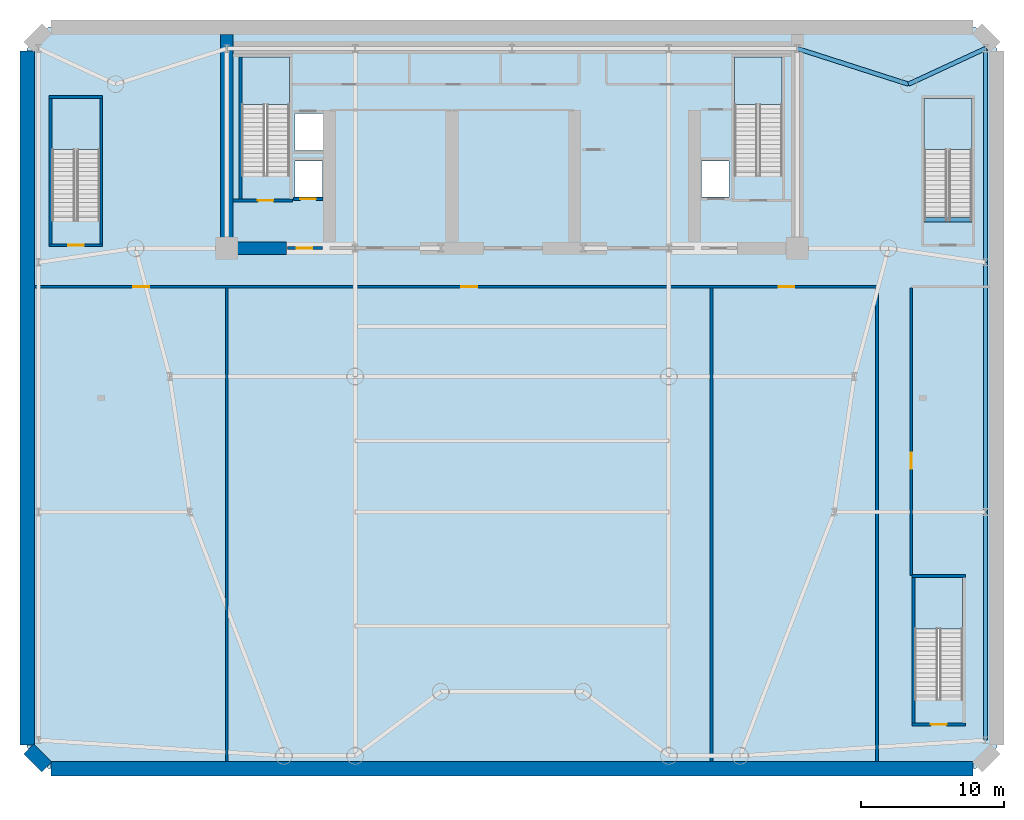
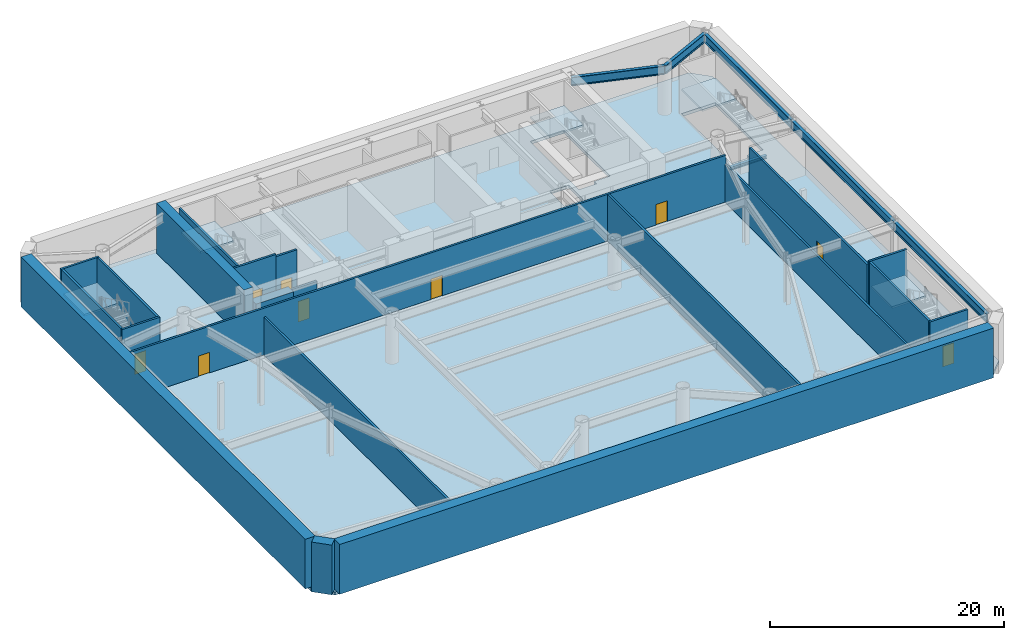
# One storey, part 2 of 9: 21 walls, 9 doors, 6 beams, 6 slabs, 9 openings, 5 elements without a shape of their own.
"""IFC4 building model written with IfcOpenShell, lengths in metres."""

from ifc_helpers import new_model, si_unit, direction, frame, frame_2d, origin, origin_2d, place, context, subcontext, project, spatial, polyline, rectangle, i_section, outline, extrude, source, transform, mapped, material, layer, layer_set, material_profile, profile_set, type_object, element, fill, aggregate, save


model = new_model("IFC4")

# Units and contexts
model_context = context("Model", 3, precision=1e-05, world=origin(), true_north=direction((0.0, 1.0)))
body_context = subcontext(model_context, "Body", "Model", "MODEL_VIEW")
ifc_project = project(units=[si_unit("LENGTHUNIT", "METRE"), si_unit("AREAUNIT", "SQUARE_METRE"), si_unit("VOLUMEUNIT", "CUBIC_METRE"), si_unit("PLANEANGLEUNIT", "RADIAN"), si_unit("MASSUNIT", "GRAM", prefix="KILO")], contexts=[model_context])

# Site, building, storey
site_placement = place(None, origin())
site = spatial("IfcSite", under=ifc_project, at=site_placement, CompositionType="ELEMENT")
building_placement = place(site_placement, origin())
building = spatial("IfcBuilding", under=site, at=building_placement, Name="Vaeldorn Concourse Tower", CompositionType="ELEMENT")
storey_placement = place(building_placement, frame((0.0, 0.0, -10.39990234375)))
storey = spatial("IfcBuildingStorey", under=building, at=storey_placement, Name="B02", CompositionType="ELEMENT", Elevation=-10.39990234375)

# Beams
ifc_material_1 = material(Name="Steel S355", Category="steel")
ifc_material_profile_1 = material_profile(ifc_material_1, i_section(OverallWidth=0.300048828125, OverallDepth=0.340087890625, WebThickness=0.011962890625, FlangeThickness=0.021484375, FilletRadius=0.027099609375, at=origin_2d()), Name="HEB 340")
ifc_profile_set_1 = profile_set([ifc_material_profile_1], Name="Steel S355")
beam_type_1 = type_object("IfcBeamType", Name="BM-ST-TRIM", PredefinedType="BEAM", material=ifc_profile_set_1)
shared_shape_1 = source(origin(), body_context, "Body", "SweptSolid", [
    extrude(i_section(OverallWidth=0.300048828125, OverallDepth=0.340087890625, WebThickness=0.011962890625, FlangeThickness=0.021484375, FilletRadius=0.027099609375, at=origin_2d()), origin(), (0.0, 0.0, 1.0), 3.590087890625),
])
beam_1_placement = place(storey_placement, frame((62.780029296875, 38.489990234375, -0.489990234375), z_axis=(1.0, 0.0, 0.0), x_axis=(0.0, 1.0, 0.0)))
element("IfcBeam", 1, at=beam_1_placement, inside=storey, type_object=beam_type_1, Name="Stair Landing Trimmer Beam ST-4 B02", PredefinedType="BEAM", context=body_context, shape_type="MappedRepresentation", body=[
    mapped(shared_shape_1, transform((0.0, 0.0, 0.0), scale=1.0)),
])
ifc_material_profile_2 = material_profile(ifc_material_1, i_section(OverallWidth=0.302001953125, OverallDepth=0.909912109375, WebThickness=0.02099609375, FlangeThickness=0.0400390625, FilletRadius=0.030029296875, at=origin_2d()), Name="HEM 900")
ifc_profile_set_2 = profile_set([ifc_material_profile_2], Name="Steel S355")
beam_type_2 = type_object("IfcBeamType", Name="BM-PG-HEM900", PredefinedType="BEAM", material=ifc_profile_set_2)
shared_shape_2 = source(origin(), body_context, "Body", "SweptSolid", [
    extrude(i_section(OverallWidth=0.302001953125, OverallDepth=0.909912109375, WebThickness=0.02099609375, FlangeThickness=0.0400390625, FilletRadius=0.030029296875, at=origin_2d()), origin(), (0.0, 0.0, 1.0), 16.0),
])
beam_2_placement = place(storey_placement, frame((67.199951171875, 2.0, 4.4248046875), z_axis=(0.0, 1.0, 0.0), x_axis=(-1.0, 0.0, 0.0)))
element("IfcBeam", 2, at=beam_2_placement, inside=storey, type_object=beam_type_2, Name="Beam BM-B02-C-PE1-C-PE2", PredefinedType="BEAM", context=body_context, shape_type="MappedRepresentation", body=[
    mapped(shared_shape_2, transform((0.0, 0.0, 0.0), scale=1.0)),
])
shared_shape_3 = source(origin(), body_context, "Body", "SweptSolid", [
    extrude(i_section(OverallWidth=0.302001953125, OverallDepth=0.909912109375, WebThickness=0.02099609375, FlangeThickness=0.0400390625, FilletRadius=0.030029296875, at=origin_2d()), origin(), (0.0, 0.0, 1.0), 17.5),
])
beam_3_placement = place(storey_placement, frame((67.199951171875, 18.0, 4.4248046875), z_axis=(0.0, 1.0, 0.0), x_axis=(-1.0, 0.0, 0.0)))
element("IfcBeam", 3, at=beam_3_placement, inside=storey, type_object=beam_type_2, Name="Beam BM-B02-C-PE2-C-PE3", PredefinedType="BEAM", context=body_context, shape_type="MappedRepresentation", body=[
    mapped(shared_shape_3, transform((0.0, 0.0, 0.0), scale=1.0)),
])
shared_shape_4 = source(origin(), body_context, "Body", "SweptSolid", [
    extrude(i_section(OverallWidth=0.302001953125, OverallDepth=0.909912109375, WebThickness=0.02099609375, FlangeThickness=0.0400390625, FilletRadius=0.030029296875, at=origin_2d()), origin(), (0.0, 0.0, 1.0), 15.0),
])
beam_4_placement = place(storey_placement, frame((67.199951171875, 35.5, 4.4248046875), z_axis=(0.0, 1.0, 0.0), x_axis=(-1.0, 0.0, 0.0)))
element("IfcBeam", 4, at=beam_4_placement, inside=storey, type_object=beam_type_2, Name="Beam BM-B02-C-PE3-C-PE4", PredefinedType="BEAM", context=body_context, shape_type="MappedRepresentation", body=[
    mapped(shared_shape_4, transform((0.0, 0.0, 0.0), scale=1.0)),
])
shared_shape_5 = source(origin(), body_context, "Body", "SweptSolid", [
    extrude(i_section(OverallWidth=0.302001953125, OverallDepth=0.909912109375, WebThickness=0.02099609375, FlangeThickness=0.0400390625, FilletRadius=0.030029296875, at=origin_2d()), origin(), (0.0, 0.0, 1.0), 5.950439453125),
])
beam_5_placement = place(storey_placement, frame((61.800048828125, 48.0, 4.4248046875), z_axis=(0.907464010437, 0.420129824888, 0.0), x_axis=(-0.420129824888, 0.907464010437, 0.0)))
element("IfcBeam", 5, at=beam_5_placement, inside=storey, type_object=beam_type_2, Name="Beam BM-B02-C-NE1-C-PE4", PredefinedType="BEAM", context=body_context, shape_type="MappedRepresentation", body=[
    mapped(shared_shape_5, transform((0.0, 0.0, 0.0), scale=1.0)),
])
shared_shape_6 = source(origin(), body_context, "Body", "SweptSolid", [
    extrude(i_section(OverallWidth=0.302001953125, OverallDepth=0.909912109375, WebThickness=0.02099609375, FlangeThickness=0.0400390625, FilletRadius=0.030029296875, at=origin_2d()), origin(), (0.0, 0.0, 1.0), 8.19091796875),
])
beam_6_placement = place(storey_placement, frame((54.0, 50.5, 4.4248046875), z_axis=(0.952282843383, -0.305216949396, 0.0), x_axis=(0.305216949396, 0.952282843383, 0.0)))
element("IfcBeam", 6, at=beam_6_placement, inside=storey, type_object=beam_type_2, Name="Beam BM-B02-C-HC5-C-NE1", PredefinedType="BEAM", context=body_context, shape_type="MappedRepresentation", body=[
    mapped(shared_shape_6, transform((0.0, 0.0, 0.0), scale=1.0)),
])

# Stair, slab
ifc_material_2 = material(Name="Precast concrete C40/50", Category="concrete")
stair_type = type_object("IfcStairType", Name="STR-DOG-34x153", PredefinedType="HALF_TURN_STAIR", material=ifc_material_2)
stair_1_placement = place(storey_placement, origin())
stair_1 = element("IfcStair", 7, at=stair_1_placement, inside=storey, type_object=stair_type, Name="B02 West Core Exit Stair ST-1", PredefinedType="HALF_TURN_STAIR")
ifc_material_3 = material(Name="Concrete C40/50", Category="concrete")
ifc_layer_1 = layer(ifc_material_3, 0.199951171875)
ifc_layer_set_1 = layer_set([ifc_layer_1], Name="Concrete C40/50")
slab_type_1 = type_object("IfcSlabType", Name="SL-STAIR-LANDING", PredefinedType="LANDING", material=ifc_layer_set_1)
slab_1_placement = place(storey_placement, frame((0.0, 0.0, 2.39990234375)))
slab_1 = element("IfcSlab", 8, at=slab_1_placement, type_object=slab_type_1, Name="ST-1 landing 1", PredefinedType="LANDING", context=body_context, shape_type="SweptSolid", body=[
    extrude(outline(polyline([(18.39990234375, 46.56005859375), (18.39990234375, 49.89990234375), (15.050048828125, 49.89990234375), (15.050048828125, 46.56005859375), (18.39990234375, 46.56005859375)])), origin(), (0.0, 0.0, 1.0), 0.199951171875),
])
aggregate(stair_1, [slab_1])

stair_2_placement = place(storey_placement, origin())
stair_2 = element("IfcStair", 9, at=stair_2_placement, inside=storey, type_object=stair_type, Name="B02 East Core Exit Stair ST-2", PredefinedType="HALF_TURN_STAIR")
slab_2_placement = place(storey_placement, frame((0.0, 0.0, 2.39990234375)))
slab_2 = element("IfcSlab", 10, at=slab_2_placement, type_object=slab_type_1, Name="ST-2 landing 1", PredefinedType="LANDING", context=body_context, shape_type="SweptSolid", body=[
    extrude(outline(polyline([(52.949951171875, 46.56005859375), (52.949951171875, 49.89990234375), (49.60009765625, 49.89990234375), (49.60009765625, 46.56005859375), (52.949951171875, 46.56005859375)])), origin(), (0.0, 0.0, 1.0), 0.199951171875),
])
aggregate(stair_2, [slab_2])

stair_3_placement = place(storey_placement, origin())
stair_3 = element("IfcStair", 11, at=stair_3_placement, inside=storey, type_object=stair_type, Name="B02 Station West Exit Stair ST-3", PredefinedType="HALF_TURN_STAIR")
slab_3_placement = place(storey_placement, frame((0.0, 0.0, 2.39990234375)))
slab_3 = element("IfcSlab", 12, at=slab_3_placement, type_object=slab_type_1, Name="ST-3 landing 1", PredefinedType="LANDING", context=body_context, shape_type="SweptSolid", body=[
    extrude(outline(polyline([(5.10009765625, 43.409912109375), (5.10009765625, 47.0), (1.75, 47.0), (1.75, 43.409912109375), (5.10009765625, 43.409912109375)])), origin(), (0.0, 0.0, 1.0), 0.199951171875),
])
aggregate(stair_3, [slab_3])

stair_4_placement = place(storey_placement, origin())
stair_4 = element("IfcStair", 13, at=stair_4_placement, inside=storey, type_object=stair_type, Name="B02 Station East Exit Stair ST-4", PredefinedType="HALF_TURN_STAIR")
slab_4_placement = place(storey_placement, frame((0.0, 0.0, 2.39990234375)))
slab_4 = element("IfcSlab", 14, at=slab_4_placement, type_object=slab_type_1, Name="ST-4 landing 1", PredefinedType="LANDING", context=body_context, shape_type="SweptSolid", body=[
    extrude(outline(polyline([(66.25, 43.409912109375), (66.25, 47.0), (62.89990234375, 47.0), (62.89990234375, 43.409912109375), (66.25, 43.409912109375)])), origin(), (0.0, 0.0, 1.0), 0.199951171875),
])
aggregate(stair_4, [slab_4])

stair_5_placement = place(storey_placement, origin())
stair_5 = element("IfcStair", 15, at=stair_5_placement, inside=storey, type_object=stair_type, Name="B02 Podium Auditorium Exit Stair ST-5", PredefinedType="HALF_TURN_STAIR")
slab_5_placement = place(storey_placement, frame((0.0, 0.0, 2.39990234375)))
slab_5 = element("IfcSlab", 16, at=slab_5_placement, type_object=slab_type_1, Name="ST-5 landing 1", PredefinedType="LANDING", context=body_context, shape_type="SweptSolid", body=[
    extrude(outline(polyline([(65.60009765625, 9.81005859375), (65.60009765625, 13.39990234375), (62.25, 13.39990234375), (62.25, 9.81005859375), (65.60009765625, 9.81005859375)])), origin(), (0.0, 0.0, 1.0), 0.199951171875),
])
aggregate(stair_5, [slab_5])

# Slab
ifc_layer_2 = layer(ifc_material_3, 0.320068359375)
ifc_layer_set_2 = layer_set([ifc_layer_2], Name="Concrete C40/50")
slab_type_2 = type_object("IfcSlabType", Name="SL-SUB-320", PredefinedType="FLOOR", material=ifc_layer_set_2)
slab_6_placement = place(storey_placement, frame((0.0, 0.0, -0.320068359375)))
element("IfcSlab", 17, at=slab_6_placement, inside=storey, type_object=slab_type_2, Name="Structural Floor Slab B02", PredefinedType="FLOOR", context=body_context, shape_type="SweptSolid", body=[
    extrude(outline(polyline([(1.5, 0.0), (66.5, 0.0), (68.0, 1.5), (68.0, 50.5), (66.5, 52.0), (1.5, 52.0), (0.0, 50.5), (0.0, 1.5), (1.5, 0.0)]), holes=[polyline([(18.39990234375, 42.0), (18.39990234375, 49.89990234375), (15.050048828125, 49.89990234375), (15.050048828125, 41.60009765625), (16.800048828125, 41.60009765625), (16.800048828125, 42.0), (18.39990234375, 42.0)]), polyline([(52.949951171875, 42.0), (52.949951171875, 49.89990234375), (49.60009765625, 49.89990234375), (49.60009765625, 41.60009765625), (51.35009765625, 41.60009765625), (51.35009765625, 42.0), (52.949951171875, 42.0)]), polyline([(5.10009765625, 38.85009765625), (5.10009765625, 47.0), (1.75, 47.0), (1.75, 38.449951171875), (3.5, 38.449951171875), (3.5, 38.85009765625), (5.10009765625, 38.85009765625)]), polyline([(66.25, 38.85009765625), (66.25, 47.0), (62.89990234375, 47.0), (62.89990234375, 38.449951171875), (64.64990234375, 38.449951171875), (64.64990234375, 38.85009765625), (66.25, 38.85009765625)]), polyline([(65.60009765625, 5.25), (65.60009765625, 13.39990234375), (62.25, 13.39990234375), (62.25, 4.85009765625), (64.0, 4.85009765625), (64.0, 5.25), (65.60009765625, 5.25)]), polyline([(18.800048828125, 43.35009765625), (20.800048828125, 43.35009765625), (20.800048828125, 45.949951171875), (18.800048828125, 45.949951171875), (18.800048828125, 43.35009765625)]), polyline([(18.800048828125, 40.10009765625), (20.699951171875, 40.10009765625), (20.699951171875, 42.60009765625), (18.800048828125, 42.60009765625), (18.800048828125, 40.10009765625)]), polyline([(47.300048828125, 40.10009765625), (49.199951171875, 40.10009765625), (49.199951171875, 42.60009765625), (47.300048828125, 42.60009765625), (47.300048828125, 40.10009765625)])]), origin(), (0.0, 0.0, 1.0), 0.320068359375),
])

# Walls
ifc_material_4 = material(Name="Concrete C60/75", Category="concrete")
ifc_layer_3 = layer(ifc_material_4, 0.89990234375)
ifc_layer_set_3 = layer_set([ifc_layer_3], Name="Concrete C60/75")
wall_type_1 = type_object("IfcWallType", Name="WL-CORE-900", PredefinedType="SHEAR", material=ifc_layer_set_3)
wall_1_placement = place(storey_placement, frame((14.0, 36.5, 0.0), z_axis=(0.0, 0.0, 1.0), x_axis=(0.0, 1.0, 0.0)))
element("IfcWall", 18, at=wall_1_placement, inside=storey, type_object=wall_type_1, Name="Rear Core Shear Wall B02 W1", PredefinedType="SHEAR", context=body_context, shape_type="SweptSolid", body=[
    extrude(rectangle(XDim=15.0, YDim=0.89990234375, at=frame_2d((7.5, 0.0))), origin(), (0.0, 0.0, 1.0), 5.199951171875),
])
wall_2_placement = place(storey_placement, frame((14.469970703125, 36.5, 0.0), z_axis=(0.0, 0.0, 1.0), x_axis=(1.0, 0.0, 0.0)))
element("IfcWall", 19, at=wall_2_placement, inside=storey, type_object=wall_type_1, Name="Rear Core Shear Wall B02 S1", PredefinedType="SHEAR", context=body_context, shape_type="SweptSolid", body=[
    extrude(rectangle(XDim=3.72998046875, YDim=0.89990234375, at=frame_2d((1.864990234375, 0.0))), origin(), (0.0, 0.0, 1.0), 3.679931640625),
])
ifc_material_5 = material(Name="Concrete C50/60", Category="concrete")
ifc_layer_4 = layer(ifc_material_5, 1.0)
ifc_layer_set_4 = layer_set([ifc_layer_4], Name="Concrete C50/60")
wall_type_2 = type_object("IfcWallType", Name="WL-DIAPH-1000", PredefinedType="STANDARD", material=ifc_layer_set_4)
wall_3_placement = place(storey_placement, frame((1.659912109375, 0.0, 0.0), z_axis=(0.0, 0.0, 1.0), x_axis=(1.0, 0.0, 0.0)))
element("IfcWall", 20, at=wall_3_placement, inside=storey, type_object=wall_type_2, Name="Substructure Diaphragm Wall B02-01", PredefinedType="STANDARD", context=body_context, shape_type="SweptSolid", body=[
    extrude(rectangle(XDim=64.68017578125, YDim=1.0, at=frame_2d((32.340087890625, 0.0))), origin(), (0.0, 0.0, 1.0), 5.199951171875),
])
wall_4_placement = place(storey_placement, frame((0.0, 50.340087890625, 0.0), z_axis=(0.0, 0.0, 1.0), x_axis=(0.0, -1.0, 0.0)))
element("IfcWall", 21, at=wall_4_placement, inside=storey, type_object=wall_type_2, Name="Substructure Diaphragm Wall B02-07", PredefinedType="STANDARD", context=body_context, shape_type="SweptSolid", body=[
    extrude(rectangle(XDim=48.68017578125, YDim=1.0, at=frame_2d((24.340087890625, 0.0))), origin(), (0.0, 0.0, 1.0), 5.199951171875),
])
wall_5_placement = place(storey_placement, frame((0.113037109375, 1.386962890625, 0.0), z_axis=(0.0, 0.0, 1.0), x_axis=(0.707106781187, -0.707106781187, 0.0)))
element("IfcWall", 22, at=wall_5_placement, inside=storey, type_object=wall_type_2, Name="Substructure Diaphragm Wall B02-08", PredefinedType="STANDARD", context=body_context, shape_type="SweptSolid", body=[
    extrude(rectangle(XDim=1.801513671875, YDim=1.0, at=frame_2d((0.90087890625, 0.0))), origin(), (0.0, 0.0, 1.0), 5.199951171875),
])

# Wall, opening, door
ifc_layer_5 = layer(ifc_material_5, 0.199951171875)
ifc_layer_set_5 = layer_set([ifc_layer_5], Name="Concrete C50/60")
wall_type_3 = type_object("IfcWallType", Name="WL-SHAFT-200", PredefinedType="SOLIDWALL", material=ifc_layer_set_5)
wall_6_placement = place(storey_placement, frame((14.449951171875, 39.85009765625, 0.0), z_axis=(0.0, 0.0, 1.0), x_axis=(1.0, 0.0, 0.0)))
wall_6 = element("IfcWall", 23, at=wall_6_placement, inside=storey, type_object=wall_type_3, Name="Stair Shaft Wall CW-B02-ST-1-S", PredefinedType="SOLIDWALL", context=body_context, shape_type="SweptSolid", body=[
    extrude(rectangle(XDim=4.150146484375, YDim=0.199951171875, at=frame_2d((2.0751953125, 0.0))), origin(), (0.0, 0.0, 1.0), 5.199951171875),
])
opening_1_placement = place(wall_6_placement, frame((1.72509765625, 0.0, 0.0)))
opening_1 = element("IfcOpeningElement", 24, at=opening_1_placement, cuts=wall_6, Name="Opening D-01", PredefinedType="OPENING", context=body_context, shape_type="SweptSolid", body=[
    extrude(rectangle(XDim=1.10009765625, YDim=2.14990234375, at=frame_2d((0.550048828125, 1.074951171875))), frame((0.0, 0.10986328125, 0.0), z_axis=(0.0, -1.0, 0.0), x_axis=(1.0, 0.0, 0.0)), (0.0, 0.0, 1.0), 0.219970703125),
])
ifc_material_6 = material(Name="Fire-Rated Timber and Steel Leaf", Category="steel")
door_type_1 = type_object("IfcDoorType", Name="DR-FD60-1100", OperationType="NOTDEFINED", PredefinedType="DOOR", material=ifc_material_6)
shared_shape_7 = source(origin(), body_context, "Body", "SweptSolid", [
    extrude(rectangle(XDim=1.10009765625, YDim=2.14990234375, at=frame_2d((0.550048828125, 1.074951171875))), frame((0.0, 0.02490234375, 0.0), z_axis=(0.0, -1.0, 0.0), x_axis=(1.0, 0.0, 0.0)), (0.0, 0.0, 1.0), 0.050048828125),
])
door_1_placement = place(opening_1_placement, origin())
door_1 = element("IfcDoor", 25, at=door_1_placement, inside=storey, type_object=door_type_1, Name="Interior Door DR-B02-ST-1", OperationType="SINGLE_SWING_LEFT", OverallHeight=2.14990234375, OverallWidth=1.10009765625, PredefinedType="DOOR", context=body_context, shape_type="MappedRepresentation", body=[
    mapped(shared_shape_7, transform((0.0, 0.0, 0.0), scale=1.0)),
])
fill(opening_1, door_1)

# Wall
wall_7_placement = place(storey_placement, frame((14.949951171875, 39.9599609375, 0.0), z_axis=(0.0, 0.0, 1.0), x_axis=(0.0, 1.0, 0.0)))
element("IfcWall", 26, at=wall_7_placement, inside=storey, type_object=wall_type_3, Name="Stair Shaft Wall CW-B02-ST-1-W", PredefinedType="SOLIDWALL", context=body_context, shape_type="SweptSolid", body=[
    extrude(rectangle(XDim=9.929931640625, YDim=0.199951171875, at=frame_2d((4.96484375, 0.0))), origin(), (0.0, 0.0, 1.0), 5.199951171875),
])

# Wall, opening, door
wall_8_placement = place(storey_placement, frame((18.25, 36.5, 0.0), z_axis=(0.0, 0.0, 1.0), x_axis=(1.0, 0.0, 0.0)))
wall_8 = element("IfcWall", 27, at=wall_8_placement, inside=storey, type_object=wall_type_3, Name="Interior Wall CW-B02-FF1S", PredefinedType="SOLIDWALL", context=body_context, shape_type="SweptSolid", body=[
    extrude(rectangle(XDim=2.469970703125, YDim=0.199951171875, at=frame_2d((1.23486328125, 0.0))), origin(), (0.0, 0.0, 1.0), 3.669921875),
])
opening_2_placement = place(wall_8_placement, frame((0.64990234375, 0.0, 0.0)))
opening_2 = element("IfcOpeningElement", 28, at=opening_2_placement, cuts=wall_8, Name="Opening D-01", PredefinedType="OPENING", context=body_context, shape_type="SweptSolid", body=[
    extrude(rectangle(XDim=1.10009765625, YDim=2.14990234375, at=frame_2d((0.550048828125, 1.074951171875))), frame((0.0, 0.10986328125, 0.0), z_axis=(0.0, -1.0, 0.0), x_axis=(1.0, 0.0, 0.0)), (0.0, 0.0, 1.0), 0.219970703125),
])
door_2_placement = place(opening_2_placement, origin())
door_2 = element("IfcDoor", 29, at=door_2_placement, inside=storey, type_object=door_type_1, Name="Interior Door DR-B02-FF1E", OperationType="SINGLE_SWING_RIGHT", OverallHeight=2.14990234375, OverallWidth=1.10009765625, PredefinedType="DOOR", context=body_context, shape_type="MappedRepresentation", body=[
    mapped(shared_shape_7, transform((0.0, 0.0, 0.0), scale=1.0)),
])
fill(opening_2, door_2)

wall_9_placement = place(storey_placement, frame((18.669921875, 39.949951171875, 0.0), z_axis=(0.0, 0.0, 1.0), x_axis=(1.0, 0.0, 0.0)))
wall_9 = element("IfcWall", 30, at=wall_9_placement, inside=storey, type_object=wall_type_3, Name="Interior Wall CW-B02-LF-LF-FF1", PredefinedType="SOLIDWALL", context=body_context, shape_type="SweptSolid", body=[
    extrude(rectangle(XDim=2.070068359375, YDim=0.199951171875, at=frame_2d((1.03515625, 0.0))), origin(), (0.0, 0.0, 1.0), 4.8798828125),
])
opening_3_placement = place(wall_9_placement, frame((0.485107421875, 0.0, 0.0)))
opening_3 = element("IfcOpeningElement", 31, at=opening_3_placement, cuts=wall_9, Name="Opening LD-1", PredefinedType="OPENING", context=body_context, shape_type="SweptSolid", body=[
    extrude(rectangle(XDim=1.10009765625, YDim=2.14990234375, at=frame_2d((0.550048828125, 1.074951171875))), frame((0.0, 0.10986328125, 0.0), z_axis=(0.0, -1.0, 0.0), x_axis=(1.0, 0.0, 0.0)), (0.0, 0.0, 1.0), 0.219970703125),
])
ifc_material_7 = material(Name="Anodised Bronze Aluminium", Category="aluminium")
door_type_2 = type_object("IfcDoorType", Name="DR-LIFT-SLIDE-1100", OperationType="DOUBLE_DOOR_SLIDING", PredefinedType="DOOR", material=ifc_material_7)
door_3_placement = place(opening_3_placement, origin())
door_3 = element("IfcDoor", 32, at=door_3_placement, inside=storey, type_object=door_type_2, Name="Lift Landing Door LD-B02-LF-FF1", OperationType="DOUBLE_DOOR_SLIDING", OverallHeight=2.14990234375, OverallWidth=1.10009765625, PredefinedType="DOOR", context=body_context, shape_type="MappedRepresentation", body=[
    mapped(shared_shape_7, transform((0.0, 0.0, 0.0), scale=1.0)),
])
fill(opening_3, door_3)

wall_10_placement = place(storey_placement, frame((1.550048828125, 36.699951171875, 0.0), z_axis=(0.0, 0.0, 1.0), x_axis=(1.0, 0.0, 0.0)))
wall_10 = element("IfcWall", 33, at=wall_10_placement, inside=storey, type_object=wall_type_3, Name="Stair Shaft Wall CW-B02-ST-3-S", PredefinedType="SOLIDWALL", context=body_context, shape_type="SweptSolid", body=[
    extrude(rectangle(XDim=3.75, YDim=0.199951171875, at=frame_2d((1.875, 0.0))), origin(), (0.0, 0.0, 1.0), 5.199951171875),
])
opening_4_placement = place(wall_10_placement, frame((1.324951171875, 0.0, 0.0)))
opening_4 = element("IfcOpeningElement", 34, at=opening_4_placement, cuts=wall_10, Name="Opening D-01", PredefinedType="OPENING", context=body_context, shape_type="SweptSolid", body=[
    extrude(rectangle(XDim=1.10009765625, YDim=2.14990234375, at=frame_2d((0.550048828125, 1.074951171875))), frame((0.0, 0.10986328125, 0.0), z_axis=(0.0, -1.0, 0.0), x_axis=(1.0, 0.0, 0.0)), (0.0, 0.0, 1.0), 0.219970703125),
])
door_4_placement = place(opening_4_placement, origin())
door_4 = element("IfcDoor", 35, at=door_4_placement, inside=storey, type_object=door_type_1, Name="Interior Door DR-B02-ST-3", OperationType="SINGLE_SWING_LEFT", OverallHeight=2.14990234375, OverallWidth=1.10009765625, PredefinedType="DOOR", context=body_context, shape_type="MappedRepresentation", body=[
    mapped(shared_shape_7, transform((0.0, 0.0, 0.0), scale=1.0)),
])
fill(opening_4, door_4)

# Walls
wall_11_placement = place(storey_placement, frame((1.550048828125, 47.10009765625, 0.0), z_axis=(0.0, 0.0, 1.0), x_axis=(1.0, 0.0, 0.0)))
element("IfcWall", 36, at=wall_11_placement, inside=storey, type_object=wall_type_3, Name="Stair Shaft Wall CW-B02-ST-3-N", PredefinedType="SOLIDWALL", context=body_context, shape_type="SweptSolid", body=[
    extrude(rectangle(XDim=3.75, YDim=0.199951171875, at=frame_2d((1.875, 0.0))), origin(), (0.0, 0.0, 1.0), 5.199951171875),
])
for number, where, z_axis, x_axis, name in (
    (37, (1.64990234375, 36.81005859375, 0.0), (0.0, 0.0, 1.0), (0.0, 1.0, 0.0), "Stair Shaft Wall CW-B02-ST-3-W"),
    (38, (5.199951171875, 36.81005859375, 0.0), (0.0, 0.0, 1.0), (0.0, 1.0, 0.0), "Stair Shaft Wall CW-B02-ST-3-E"),
):
    element("IfcWall", number, at=place(storey_placement, frame(where, z_axis=z_axis, x_axis=x_axis)), inside=storey, type_object=wall_type_3, Name=name, PredefinedType="SOLIDWALL", context=body_context, shape_type="SweptSolid", body=[
        extrude(rectangle(XDim=10.179931640625, YDim=0.199951171875, at=frame_2d((5.08984375, 0.0))), origin(), (0.0, 0.0, 1.0), 5.199951171875),
    ])

# Wall, opening, door
wall_12_placement = place(storey_placement, frame((62.050048828125, 3.10009765625, 0.0), z_axis=(0.0, 0.0, 1.0), x_axis=(1.0, 0.0, 0.0)))
wall_12 = element("IfcWall", 39, at=wall_12_placement, inside=storey, type_object=wall_type_3, Name="Stair Shaft Wall CW-B02-ST-5-S", PredefinedType="SOLIDWALL", context=body_context, shape_type="SweptSolid", body=[
    extrude(rectangle(XDim=3.75, YDim=0.199951171875, at=frame_2d((1.875, 0.0))), origin(), (0.0, 0.0, 1.0), 5.199951171875),
])
opening_5_placement = place(wall_12_placement, frame((1.324951171875, 0.0, 0.0)))
opening_5 = element("IfcOpeningElement", 40, at=opening_5_placement, cuts=wall_12, Name="Opening D-01", PredefinedType="OPENING", context=body_context, shape_type="SweptSolid", body=[
    extrude(rectangle(XDim=1.10009765625, YDim=2.14990234375, at=frame_2d((0.550048828125, 1.074951171875))), frame((0.0, 0.10986328125, 0.0), z_axis=(0.0, -1.0, 0.0), x_axis=(1.0, 0.0, 0.0)), (0.0, 0.0, 1.0), 0.219970703125),
])
door_5_placement = place(opening_5_placement, origin())
door_5 = element("IfcDoor", 41, at=door_5_placement, inside=storey, type_object=door_type_1, Name="Interior Door DR-B02-ST-5", OperationType="SINGLE_SWING_RIGHT", OverallHeight=2.14990234375, OverallWidth=1.10009765625, PredefinedType="DOOR", context=body_context, shape_type="MappedRepresentation", body=[
    mapped(shared_shape_7, transform((0.0, 0.0, 0.0), scale=1.0)),
])
fill(opening_5, door_5)

# Walls
wall_13_placement = place(storey_placement, frame((62.050048828125, 13.5, 0.0), z_axis=(0.0, 0.0, 1.0), x_axis=(1.0, 0.0, 0.0)))
element("IfcWall", 42, at=wall_13_placement, inside=storey, type_object=wall_type_3, Name="Stair Shaft Wall CW-B02-ST-5-N", PredefinedType="SOLIDWALL", context=body_context, shape_type="SweptSolid", body=[
    extrude(rectangle(XDim=3.75, YDim=0.199951171875, at=frame_2d((1.875, 0.0))), origin(), (0.0, 0.0, 1.0), 5.199951171875),
])
wall_14_placement = place(storey_placement, frame((62.14990234375, 3.2099609375, 0.0), z_axis=(0.0, 0.0, 1.0), x_axis=(0.0, 1.0, 0.0)))
element("IfcWall", 43, at=wall_14_placement, inside=storey, type_object=wall_type_3, Name="Stair Shaft Wall CW-B02-ST-5-W", PredefinedType="SOLIDWALL", context=body_context, shape_type="SweptSolid", body=[
    extrude(rectangle(XDim=10.179931640625, YDim=0.199951171875, at=frame_2d((5.08984375, 0.0))), origin(), (0.0, 0.0, 1.0), 5.199951171875),
])

# Wall, openings, doors
wall_15_placement = place(storey_placement, frame((0.52001953125, 33.800048828125, 0.0), z_axis=(0.0, 0.0, 1.0), x_axis=(1.0, 0.0, 0.0)))
wall_15 = element("IfcWall", 44, at=wall_15_placement, inside=storey, type_object=wall_type_3, Name="Interior Wall PW-B02-COR", PredefinedType="SOLIDWALL", context=body_context, shape_type="SweptSolid", body=[
    extrude(rectangle(XDim=59.080078125, YDim=0.199951171875, at=frame_2d((29.5400390625, 0.0))), origin(), (0.0, 0.0, 1.0), 4.8798828125),
])
opening_6_placement = place(wall_15_placement, frame((6.929931640625, 0.0, 0.0)))
opening_6 = element("IfcOpeningElement", 45, at=opening_6_placement, cuts=wall_15, Name="Opening D-01", PredefinedType="OPENING", context=body_context, shape_type="SweptSolid", body=[
    extrude(rectangle(XDim=1.10009765625, YDim=2.14990234375, at=frame_2d((0.550048828125, 1.074951171875))), frame((0.0, 0.10986328125, 0.0), z_axis=(0.0, -1.0, 0.0), x_axis=(1.0, 0.0, 0.0)), (0.0, 0.0, 1.0), 0.219970703125),
])
opening_7_placement = place(wall_15_placement, frame((29.929931640625, 0.0, 0.0)))
opening_7 = element("IfcOpeningElement", 46, at=opening_7_placement, cuts=wall_15, Name="Opening D-01", PredefinedType="OPENING", context=body_context, shape_type="SweptSolid", body=[
    extrude(rectangle(XDim=1.10009765625, YDim=2.14990234375, at=frame_2d((0.550048828125, 1.074951171875))), frame((0.0, 0.10986328125, 0.0), z_axis=(0.0, -1.0, 0.0), x_axis=(1.0, 0.0, 0.0)), (0.0, 0.0, 1.0), 0.219970703125),
])
opening_8_placement = place(wall_15_placement, frame((52.179931640625, 0.0, 0.0)))
opening_8 = element("IfcOpeningElement", 47, at=opening_8_placement, cuts=wall_15, Name="Opening D-01", PredefinedType="OPENING", context=body_context, shape_type="SweptSolid", body=[
    extrude(rectangle(XDim=1.10009765625, YDim=2.14990234375, at=frame_2d((0.550048828125, 1.074951171875))), frame((0.0, 0.10986328125, 0.0), z_axis=(0.0, -1.0, 0.0), x_axis=(1.0, 0.0, 0.0)), (0.0, 0.0, 1.0), 0.219970703125),
])
door_6_placement = place(opening_6_placement, origin())
door_6 = element("IfcDoor", 48, at=door_6_placement, inside=storey, type_object=door_type_1, Name="Interior Door DR-B02-BM1", OperationType="SINGLE_SWING_LEFT", OverallHeight=2.14990234375, OverallWidth=1.10009765625, PredefinedType="DOOR", context=body_context, shape_type="MappedRepresentation", body=[
    mapped(shared_shape_7, transform((0.0, 0.0, 0.0), scale=1.0)),
])
fill(opening_6, door_6)
door_7_placement = place(opening_7_placement, origin())
door_7 = element("IfcDoor", 49, at=door_7_placement, inside=storey, type_object=door_type_1, Name="Interior Door DR-B02-BM2", OperationType="SINGLE_SWING_RIGHT", OverallHeight=2.14990234375, OverallWidth=1.10009765625, PredefinedType="DOOR", context=body_context, shape_type="MappedRepresentation", body=[
    mapped(shared_shape_7, transform((0.0, 0.0, 0.0), scale=1.0)),
])
fill(opening_7, door_7)
door_8_placement = place(opening_8_placement, origin())
door_8 = element("IfcDoor", 50, at=door_8_placement, inside=storey, type_object=door_type_1, Name="Interior Door DR-B02-BM3", OperationType="SINGLE_SWING_LEFT", OverallHeight=2.14990234375, OverallWidth=1.10009765625, PredefinedType="DOOR", context=body_context, shape_type="MappedRepresentation", body=[
    mapped(shared_shape_7, transform((0.0, 0.0, 0.0), scale=1.0)),
])
fill(opening_8, door_8)

# Wall
wall_16_placement = place(storey_placement, frame((59.60009765625, 0.52001953125, 0.0), z_axis=(0.0, 0.0, 1.0), x_axis=(0.0, 1.0, 0.0)))
element("IfcWall", 51, at=wall_16_placement, inside=storey, type_object=wall_type_3, Name="Interior Wall PW-B02-BSPW", PredefinedType="SOLIDWALL", context=body_context, shape_type="SweptSolid", body=[
    extrude(rectangle(XDim=33.179931640625, YDim=0.199951171875, at=frame_2d((16.58984375, 0.0))), origin(), (0.0, 0.0, 1.0), 3.9599609375),
])

# Wall, opening, door
wall_17_placement = place(storey_placement, frame((62.0, 13.550048828125, 0.0), z_axis=(0.0, 0.0, 1.0), x_axis=(0.0, 1.0, 0.0)))
wall_17 = element("IfcWall", 52, at=wall_17_placement, inside=storey, type_object=wall_type_3, Name="Interior Wall PW-B02-BSPE", PredefinedType="SOLIDWALL", context=body_context, shape_type="SweptSolid", body=[
    extrude(rectangle(XDim=20.14990234375, YDim=0.199951171875, at=frame_2d((10.074951171875, 0.0))), origin(), (0.0, 0.0, 1.0), 4.8798828125),
])
opening_9_placement = place(wall_17_placement, frame((7.5, 0.0, 0.0)))
opening_9 = element("IfcOpeningElement", 53, at=opening_9_placement, cuts=wall_17, Name="Opening D-01", PredefinedType="OPENING", context=body_context, shape_type="SweptSolid", body=[
    extrude(rectangle(XDim=1.10009765625, YDim=2.14990234375, at=frame_2d((0.550048828125, 1.074951171875))), frame((0.0, 0.10986328125, 0.0), z_axis=(0.0, -1.0, 0.0), x_axis=(1.0, 0.0, 0.0)), (0.0, 0.0, 1.0), 0.219970703125),
])
door_9_placement = place(opening_9_placement, origin())
door_9 = element("IfcDoor", 54, at=door_9_placement, inside=storey, type_object=door_type_1, Name="Interior Door DR-B02-BME", OperationType="SINGLE_SWING_RIGHT", OverallHeight=2.14990234375, OverallWidth=1.10009765625, PredefinedType="DOOR", context=body_context, shape_type="MappedRepresentation", body=[
    mapped(shared_shape_7, transform((0.0, 0.0, 0.0), scale=1.0)),
])
fill(opening_9, door_9)

# Walls
wall_18_placement = place(storey_placement, frame((14.0, 0.52001953125, 0.0), z_axis=(0.0, 0.0, 1.0), x_axis=(0.0, 1.0, 0.0)))
element("IfcWall", 55, at=wall_18_placement, inside=storey, type_object=wall_type_3, Name="Interior Wall PW-B02-B1", PredefinedType="SOLIDWALL", context=body_context, shape_type="SweptSolid", body=[
    extrude(rectangle(XDim=33.179931640625, YDim=0.199951171875, at=frame_2d((16.58984375, 0.0))), origin(), (0.0, 0.0, 1.0), 3.9599609375),
])
wall_19_placement = place(storey_placement, frame((48.0, 0.52001953125, 0.0), z_axis=(0.0, 0.0, 1.0), x_axis=(0.0, 1.0, 0.0)))
element("IfcWall", 56, at=wall_19_placement, inside=storey, type_object=wall_type_3, Name="Interior Wall PW-B02-B2", PredefinedType="SOLIDWALL", context=body_context, shape_type="SweptSolid", body=[
    extrude(rectangle(XDim=33.179931640625, YDim=0.199951171875, at=frame_2d((16.58984375, 0.0))), origin(), (0.0, 0.0, 1.0), 4.8798828125),
])

save(model, "model.ifc")
